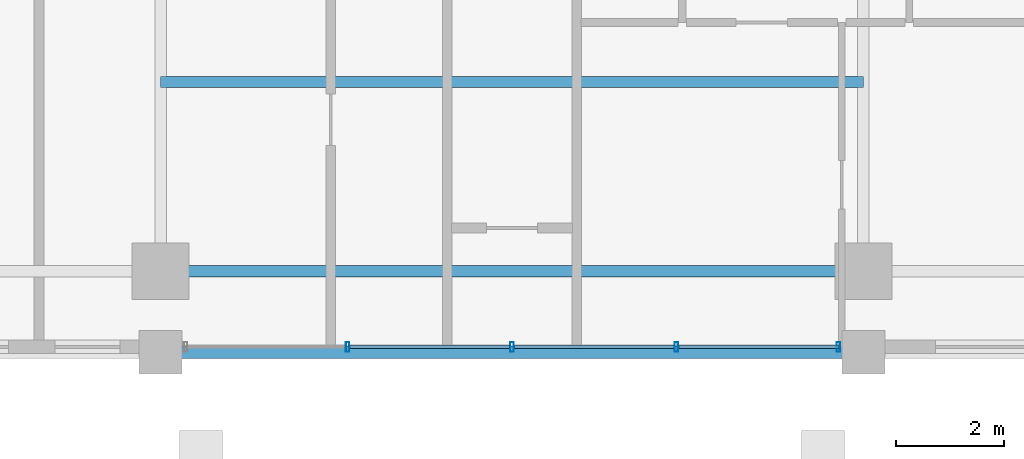
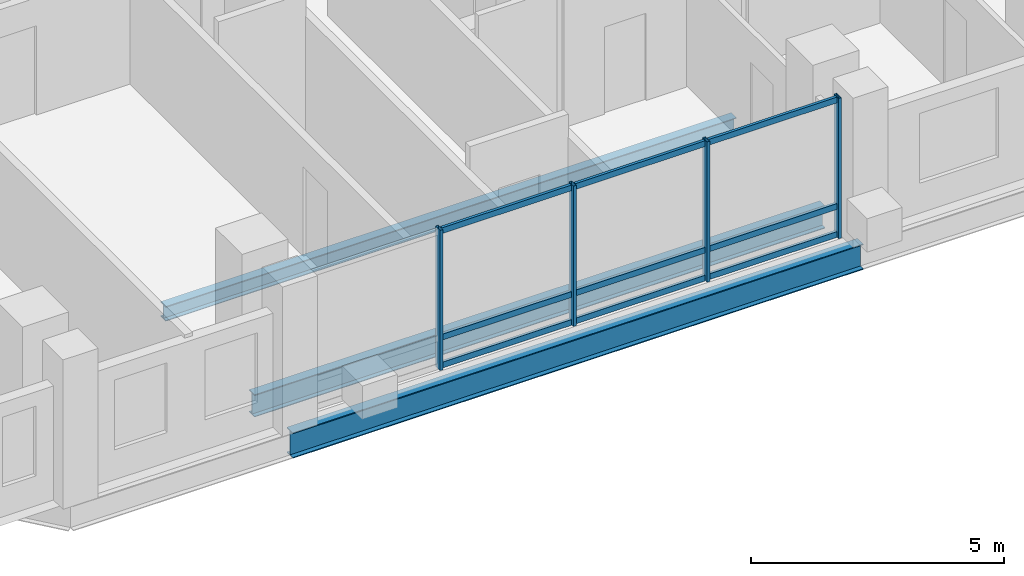
# One storey, part 4 of 24: 13 members, 3 beams, 1 element without a shape of its own.
"""IFC4 building model written with IfcOpenShell, lengths in metres."""

from ifc_helpers import new_model, si_unit, direction, frame, origin, origin_2d, place, context, subcontext, project, spatial, hollow_rectangle, i_section, extrude, material, layer, layer_set, material_profile, profile_set, type_object, element, aggregate, save


model = new_model("IFC4")

# Units and contexts
model_context = context("Model", 3, precision=1e-05, world=origin(), true_north=direction((0.0, 1.0)))
body_context = subcontext(model_context, "Body", "Model", "MODEL_VIEW")
ifc_project = project(units=[si_unit("LENGTHUNIT", "METRE"), si_unit("AREAUNIT", "SQUARE_METRE"), si_unit("VOLUMEUNIT", "CUBIC_METRE"), si_unit("PLANEANGLEUNIT", "RADIAN"), si_unit("MASSUNIT", "GRAM", prefix="KILO")], contexts=[model_context])

# Site, building, storey
site_placement = place(None, origin())
site = spatial("IfcSite", under=ifc_project, at=site_placement, CompositionType="ELEMENT")
building_placement = place(site_placement, origin())
building = spatial("IfcBuilding", under=site, at=building_placement, Name="Barlavira Tower and Art Museum", CompositionType="ELEMENT")
storey_placement = place(building_placement, frame((0.0, 0.0, 190.800048828125)))
storey = spatial("IfcBuildingStorey", under=building, at=storey_placement, Name="L49", CompositionType="ELEMENT", Elevation=190.800048828125)

# Curtain wall, members
ifc_material_1 = material(Name="Low-iron coastal laminated glass", Category="glass")
ifc_layer = layer(ifc_material_1, 0.199951171875, Name="Low-iron coastal laminated glass")
ifc_layer_set = layer_set([ifc_layer], Name="Low-iron coastal laminated glass")
curtain_wall_type = type_object("IfcCurtainWallType", Name="Pale-Metal Unitised Curtain Wall Zone 3", PredefinedType="NOTDEFINED", material=ifc_layer_set)
curtain_wall_placement = place(storey_placement, origin())
curtain_wall = element("IfcCurtainWall", 1, at=curtain_wall_placement, inside=storey, type_object=curtain_wall_type, Name="L49 Curtain Wall CW3-L49-S-B3", PredefinedType="NOTDEFINED")
ifc_material_2 = material(Name="Pale anodised aluminium", Category="aluminium")
ifc_material_profile_1 = material_profile(ifc_material_2, hollow_rectangle(XDim=0.06494140625, YDim=0.179931640625, WallThickness=0.00390625, at=origin_2d()), Name="ALU-MULL 65x180x4")
ifc_profile_set_1 = profile_set([ifc_material_profile_1], Name="Pale anodised aluminium")
member_type_1 = type_object("IfcMemberType", Name="Curtain Wall Pale-Metal Mullion 65x180", PredefinedType="MULLION", material=ifc_profile_set_1)
member_1_placement = place(storey_placement, frame((-3.0400390625, -21.39990234375, 0.0), z_axis=(0.0, 0.0, 1.0), x_axis=(1.0, 0.0, 0.0)))
member_1 = element("IfcMember", 2, at=member_1_placement, type_object=member_type_1, Name="CW3-L49-S-B3 Mullion 1", PredefinedType="MULLION", context=body_context, shape_type="SweptSolid", body=[
    extrude(hollow_rectangle(XDim=0.06494140625, YDim=0.179931640625, WallThickness=0.00390625, at=origin_2d()), origin(), (0.0, 0.0, 1.0), 3.3798828125),
])
member_2_placement = place(storey_placement, frame((0.0, -21.39990234375, 0.0), z_axis=(0.0, 0.0, 1.0), x_axis=(1.0, 0.0, 0.0)))
member_2 = element("IfcMember", 3, at=member_2_placement, type_object=member_type_1, Name="CW3-L49-S-B3 Mullion 2", PredefinedType="MULLION", context=body_context, shape_type="SweptSolid", body=[
    extrude(hollow_rectangle(XDim=0.06494140625, YDim=0.179931640625, WallThickness=0.00390625, at=origin_2d()), origin(), (0.0, 0.0, 1.0), 3.3798828125),
])
member_3_placement = place(storey_placement, frame((3.0400390625, -21.39990234375, 0.0), z_axis=(0.0, 0.0, 1.0), x_axis=(1.0, 0.0, 0.0)))
member_3 = element("IfcMember", 4, at=member_3_placement, type_object=member_type_1, Name="CW3-L49-S-B3 Mullion 3", PredefinedType="MULLION", context=body_context, shape_type="SweptSolid", body=[
    extrude(hollow_rectangle(XDim=0.06494140625, YDim=0.179931640625, WallThickness=0.00390625, at=origin_2d()), origin(), (0.0, 0.0, 1.0), 3.3798828125),
])
member_4_placement = place(storey_placement, frame((6.034912109375, -21.39990234375, 0.0), z_axis=(0.0, 0.0, 1.0), x_axis=(1.0, 0.0, 0.0)))
member_4 = element("IfcMember", 5, at=member_4_placement, type_object=member_type_1, Name="CW3-L49-S-B3 Mullion 4", PredefinedType="MULLION", context=body_context, shape_type="SweptSolid", body=[
    extrude(hollow_rectangle(XDim=0.06494140625, YDim=0.179931640625, WallThickness=0.00390625, at=origin_2d()), origin(), (0.0, 0.0, 1.0), 3.3798828125),
])
ifc_material_profile_2 = material_profile(ifc_material_2, hollow_rectangle(XDim=0.06494140625, YDim=0.139892578125, WallThickness=0.00390625, at=origin_2d()), Name="ALU-TRAN 65x140x4")
ifc_profile_set_2 = profile_set([ifc_material_profile_2], Name="Pale anodised aluminium")
member_type_2 = type_object("IfcMemberType", Name="Curtain Wall Pale-Metal Transom 65x140", PredefinedType="USERDEFINED", material=ifc_profile_set_2)
member_5_placement = place(storey_placement, frame((-2.9951171875, -21.39990234375, 0.070068359375), z_axis=(1.0, 0.0, 0.0), x_axis=(0.0, 1.0, 0.0)))
member_5 = element("IfcMember", 6, at=member_5_placement, type_object=member_type_2, Name="CW3-L49-S-B3 Transom 1.1", ObjectType="TRANSOM", PredefinedType="USERDEFINED", context=body_context, shape_type="SweptSolid", body=[
    extrude(hollow_rectangle(XDim=0.06494140625, YDim=0.139892578125, WallThickness=0.00390625, at=origin_2d()), origin(), (0.0, 0.0, 1.0), 2.9501953125),
])
member_6_placement = place(storey_placement, frame((-2.9951171875, -21.39990234375, 0.743896484375), z_axis=(1.0, 0.0, 0.0), x_axis=(0.0, 1.0, 0.0)))
member_6 = element("IfcMember", 7, at=member_6_placement, type_object=member_type_2, Name="CW3-L49-S-B3 Transom 1.2", ObjectType="TRANSOM", PredefinedType="USERDEFINED", context=body_context, shape_type="SweptSolid", body=[
    extrude(hollow_rectangle(XDim=0.06494140625, YDim=0.139892578125, WallThickness=0.00390625, at=origin_2d()), origin(), (0.0, 0.0, 1.0), 2.9501953125),
])
member_7_placement = place(storey_placement, frame((-2.9951171875, -21.39990234375, 3.31005859375), z_axis=(1.0, 0.0, 0.0), x_axis=(0.0, 1.0, 0.0)))
member_7 = element("IfcMember", 8, at=member_7_placement, type_object=member_type_2, Name="CW3-L49-S-B3 Transom 1.3", ObjectType="TRANSOM", PredefinedType="USERDEFINED", context=body_context, shape_type="SweptSolid", body=[
    extrude(hollow_rectangle(XDim=0.06494140625, YDim=0.139892578125, WallThickness=0.00390625, at=origin_2d()), origin(), (0.0, 0.0, 1.0), 2.9501953125),
])
member_8_placement = place(storey_placement, frame((0.044921875, -21.39990234375, 0.070068359375), z_axis=(1.0, 0.0, 0.0), x_axis=(0.0, 1.0, 0.0)))
member_8 = element("IfcMember", 9, at=member_8_placement, type_object=member_type_2, Name="CW3-L49-S-B3 Transom 2.1", ObjectType="TRANSOM", PredefinedType="USERDEFINED", context=body_context, shape_type="SweptSolid", body=[
    extrude(hollow_rectangle(XDim=0.06494140625, YDim=0.139892578125, WallThickness=0.00390625, at=origin_2d()), origin(), (0.0, 0.0, 1.0), 2.9501953125),
])
member_9_placement = place(storey_placement, frame((0.044921875, -21.39990234375, 0.743896484375), z_axis=(1.0, 0.0, 0.0), x_axis=(0.0, 1.0, 0.0)))
member_9 = element("IfcMember", 10, at=member_9_placement, type_object=member_type_2, Name="CW3-L49-S-B3 Transom 2.2", ObjectType="TRANSOM", PredefinedType="USERDEFINED", context=body_context, shape_type="SweptSolid", body=[
    extrude(hollow_rectangle(XDim=0.06494140625, YDim=0.139892578125, WallThickness=0.00390625, at=origin_2d()), origin(), (0.0, 0.0, 1.0), 2.9501953125),
])
member_10_placement = place(storey_placement, frame((0.044921875, -21.39990234375, 3.31005859375), z_axis=(1.0, 0.0, 0.0), x_axis=(0.0, 1.0, 0.0)))
member_10 = element("IfcMember", 11, at=member_10_placement, type_object=member_type_2, Name="CW3-L49-S-B3 Transom 2.3", ObjectType="TRANSOM", PredefinedType="USERDEFINED", context=body_context, shape_type="SweptSolid", body=[
    extrude(hollow_rectangle(XDim=0.06494140625, YDim=0.139892578125, WallThickness=0.00390625, at=origin_2d()), origin(), (0.0, 0.0, 1.0), 2.9501953125),
])
member_11_placement = place(storey_placement, frame((3.0849609375, -21.39990234375, 0.070068359375), z_axis=(1.0, 0.0, 0.0), x_axis=(0.0, 1.0, 0.0)))
member_11 = element("IfcMember", 12, at=member_11_placement, type_object=member_type_2, Name="CW3-L49-S-B3 Transom 3.1", ObjectType="TRANSOM", PredefinedType="USERDEFINED", context=body_context, shape_type="SweptSolid", body=[
    extrude(hollow_rectangle(XDim=0.06494140625, YDim=0.139892578125, WallThickness=0.00390625, at=origin_2d()), origin(), (0.0, 0.0, 1.0), 2.949951171875),
])
member_12_placement = place(storey_placement, frame((3.0849609375, -21.39990234375, 0.743896484375), z_axis=(1.0, 0.0, 0.0), x_axis=(0.0, 1.0, 0.0)))
member_12 = element("IfcMember", 13, at=member_12_placement, type_object=member_type_2, Name="CW3-L49-S-B3 Transom 3.2", ObjectType="TRANSOM", PredefinedType="USERDEFINED", context=body_context, shape_type="SweptSolid", body=[
    extrude(hollow_rectangle(XDim=0.06494140625, YDim=0.139892578125, WallThickness=0.00390625, at=origin_2d()), origin(), (0.0, 0.0, 1.0), 2.949951171875),
])
member_13_placement = place(storey_placement, frame((3.0849609375, -21.39990234375, 3.31005859375), z_axis=(1.0, 0.0, 0.0), x_axis=(0.0, 1.0, 0.0)))
member_13 = element("IfcMember", 14, at=member_13_placement, type_object=member_type_2, Name="CW3-L49-S-B3 Transom 3.3", ObjectType="TRANSOM", PredefinedType="USERDEFINED", context=body_context, shape_type="SweptSolid", body=[
    extrude(hollow_rectangle(XDim=0.06494140625, YDim=0.139892578125, WallThickness=0.00390625, at=origin_2d()), origin(), (0.0, 0.0, 1.0), 2.949951171875),
])
aggregate(curtain_wall, [member_1, member_2, member_3, member_4, member_5, member_6, member_7, member_8, member_9, member_10, member_11, member_12, member_13])

# Beams
ifc_material_3 = material(Name="Steel S355", Category="steel")
ifc_material_profile_3 = material_profile(ifc_material_3, i_section(OverallWidth=0.22998046875, OverallDepth=0.616943359375, WebThickness=0.01318359375, FlangeThickness=0.022216796875, at=origin_2d()), Name="W610x140.0")
ifc_profile_set_3 = profile_set([ifc_material_profile_3], Name="Steel S355")
beam_type_1 = type_object("IfcBeamType", Name="Upper Shaft Spandrel Edge Beam W610x140 Steel S355", PredefinedType="SPANDREL", material=ifc_profile_set_3)
beam_1_placement = place(storey_placement, frame((-6.5, -21.5, -0.528564453125), z_axis=(1.0, 0.0, 0.0), x_axis=(0.0, 1.0, 0.0)))
element("IfcBeam", 15, at=beam_1_placement, inside=storey, type_object=beam_type_1, Name="L49 Spandrel 2", PredefinedType="SPANDREL", context=body_context, shape_type="SweptSolid", body=[
    extrude(i_section(OverallWidth=0.22998046875, OverallDepth=0.616943359375, WebThickness=0.01318359375, FlangeThickness=0.022216796875, at=origin_2d()), origin(), (0.0, 0.0, 1.0), 13.0),
])
ifc_material_profile_4 = material_profile(ifc_material_3, i_section(OverallWidth=0.205078125, OverallDepth=0.35400390625, WebThickness=0.009521484375, FlangeThickness=0.016845703125, at=origin_2d()), Name="W360x79.0")
ifc_profile_set_4 = profile_set([ifc_material_profile_4], Name="Steel S355")
beam_type_2 = type_object("IfcBeamType", Name="Zone 3 Composite Floor Joist W360x79 Steel S355", PredefinedType="JOIST", material=ifc_profile_set_4)
beam_2_placement = place(storey_placement, frame((-6.5, -16.5, -0.39697265625), z_axis=(1.0, 0.0, 0.0), x_axis=(0.0, 1.0, 0.0)))
element("IfcBeam", 16, at=beam_2_placement, inside=storey, type_object=beam_type_2, Name="L49 Joist C1", PredefinedType="JOIST", context=body_context, shape_type="SweptSolid", body=[
    extrude(i_section(OverallWidth=0.205078125, OverallDepth=0.35400390625, WebThickness=0.009521484375, FlangeThickness=0.016845703125, at=origin_2d()), origin(), (0.0, 0.0, 1.0), 13.0),
])
ifc_material_profile_5 = material_profile(ifc_material_3, i_section(OverallWidth=0.2109375, OverallDepth=0.5390625, WebThickness=0.01171875, FlangeThickness=0.018798828125, at=origin_2d()), Name="W530x109.0")
ifc_profile_set_5 = profile_set([ifc_material_profile_5], Name="Steel S355")
beam_type_3 = type_object("IfcBeamType", Name="Zone 3-4 Primary Floor Girder W530x109 Steel S355", PredefinedType="BEAM", material=ifc_profile_set_5)
beam_3_placement = place(storey_placement, frame((-6.5, -20.0, -0.489501953125), z_axis=(1.0, 0.0, 0.0), x_axis=(0.0, 1.0, 0.0)))
element("IfcBeam", 17, at=beam_3_placement, inside=storey, type_object=beam_type_3, Name="L49 Girder M-S2", PredefinedType="BEAM", context=body_context, shape_type="SweptSolid", body=[
    extrude(i_section(OverallWidth=0.2109375, OverallDepth=0.5390625, WebThickness=0.01171875, FlangeThickness=0.018798828125, at=origin_2d()), origin(), (0.0, 0.0, 1.0), 13.0),
])

save(model, "model.ifc")
